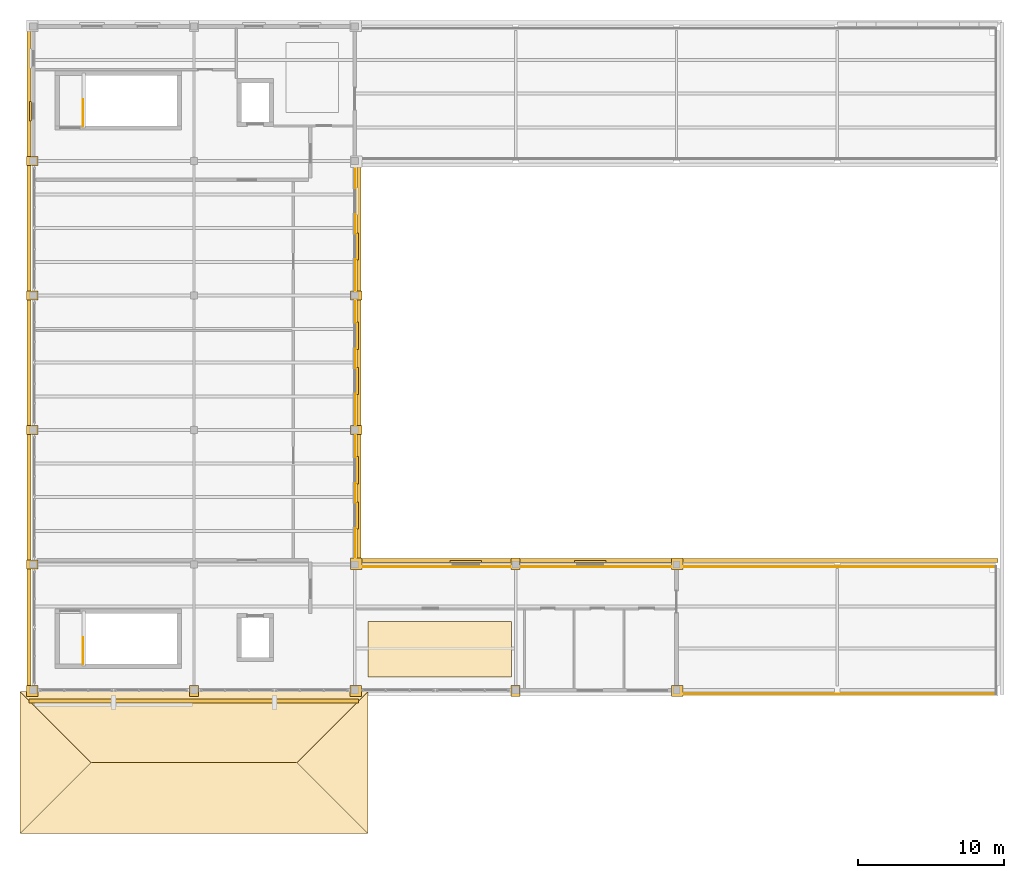
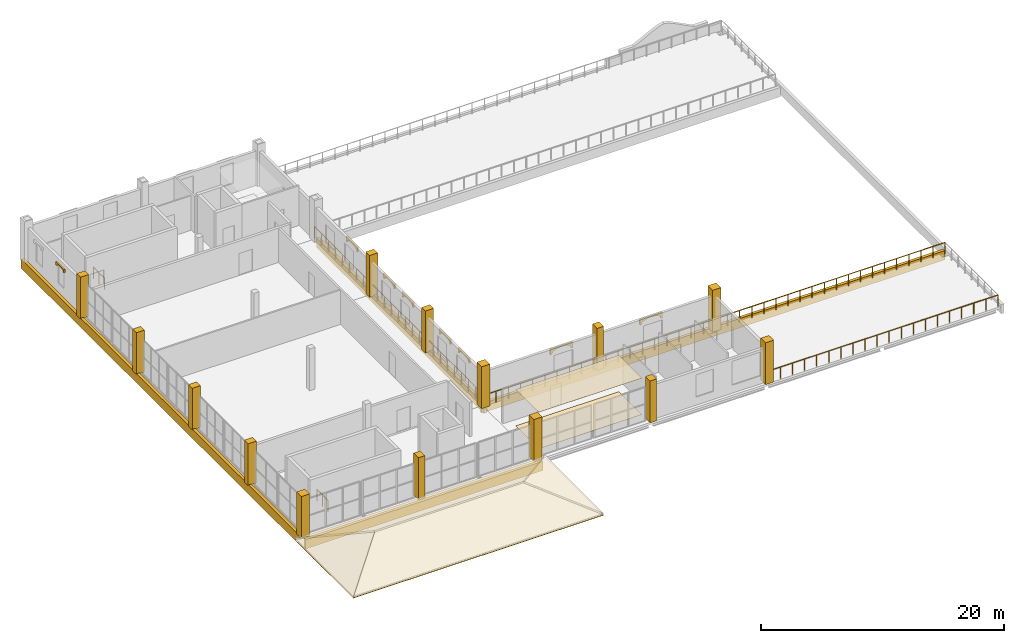
# One storey, part 25 of 26: 32 coverings, 6 railings.
"""IFC4 building model written with IfcOpenShell, lengths in metres."""

import ifcopenshell
import ifcopenshell.guid

model = None  # the IFC model being written
_history = None  # IfcOwnerHistory: only IFC2X3 demands one
_inside = {}  # id of a spatial element -> (the spatial element, [elements in it])
_under = {}  # id of a project, library or spatial element -> (it, [spatial elements below it])
_declared = {}  # id of a project -> (the project, [libraries it declares])
_typed = {}  # id of a type object -> (the type object, [elements of that type])
_made_of = {}  # id of a material, layer set ... -> (it, [elements and type objects made of it])


def new_model(schema):
    """Start an empty IFC model of exactly this schema.

    Asked for "IFC4X3", IfcOpenShell would pick the latest addendum, in which some entities
    have other attributes; the version numbers below select the first issue.
    IFC2X3 requires an IfcOwnerHistory on every rooted entity: one is made here for all.
    """
    global model, _history
    if schema == "IFC4X3":
        model = ifcopenshell.file(schema_version=(4, 3, 0, 0))
    else:
        model = ifcopenshell.file(schema=schema)
    _inside.clear()
    _under.clear()
    _declared.clear()
    _typed.clear()
    _made_of.clear()
    _history = None
    if model.schema == "IFC2X3":
        org = make("IfcOrganization", Name="unknown")
        user = make(
            "IfcPersonAndOrganization",
            ThePerson=make("IfcPerson", FamilyName="unknown"),
            TheOrganization=org,
        )
        app = make(
            "IfcApplication",
            ApplicationDeveloper=org,
            Version="unknown",
            ApplicationFullName="unknown",
            ApplicationIdentifier="unknown",
        )
        _history = make(
            "IfcOwnerHistory",
            OwningUser=user,
            OwningApplication=app,
            ChangeAction="ADDED",
            CreationDate=0,
        )
    return model


def make(cls, **values):
    """One entity of the class cls with the attributes given. An attribute that is None is left unset."""
    return model.create_entity(
        cls, **{name: value for name, value in values.items() if value is not None}
    )


def rooted(cls, **values):
    """An entity with a GlobalId (a new one), such as an element, a storey or a relation."""
    return make(cls, GlobalId=ifcopenshell.guid.new(), OwnerHistory=_history, **values)


def si_unit(unit_type, name, prefix=None):
    """IfcSIUnit, for example si_unit("LENGTHUNIT", "METRE", prefix="MILLI")."""
    return make("IfcSIUnit", UnitType=unit_type, Prefix=prefix, Name=name)


def assignment(units):
    """IfcUnitAssignment: the units of a project."""
    return None if units is None else make("IfcUnitAssignment", Units=units)


def point(xyz):
    """IfcCartesianPoint."""
    return None if xyz is None else make("IfcCartesianPoint", Coordinates=xyz)


def direction(xyz):
    """IfcDirection."""
    return None if xyz is None else make("IfcDirection", DirectionRatios=xyz)


def frame(location, z_axis=None, x_axis=None):
    """IfcAxis2Placement3D, a coordinate frame: its origin and axes. An axis left out is left unset."""
    return make(
        "IfcAxis2Placement3D",
        Location=point(location),
        Axis=direction(z_axis),
        RefDirection=direction(x_axis),
    )


def frame_2d(location, x_axis=None):
    """IfcAxis2Placement2D, a coordinate frame in the plane: its origin and x axis."""
    return make(
        "IfcAxis2Placement2D", Location=point(location), RefDirection=direction(x_axis)
    )


def origin():
    """The frame at (0, 0, 0) with its axes left unset."""
    return frame((0.0, 0.0, 0.0))


def origin_2d():
    """The frame at (0, 0) in the plane with its x axis left unset."""
    return frame_2d((0.0, 0.0))


def place(relative_to, where):
    """IfcLocalPlacement: puts the frame where relative to a parent placement (None: the world)."""
    return make(
        "IfcLocalPlacement", PlacementRelTo=relative_to, RelativePlacement=where
    )


def context(
    kind, dimensions, precision=None, world=None, true_north=None, identifier=None
):
    """IfcGeometricRepresentationContext, for example the 3D "Model" context."""
    return make(
        "IfcGeometricRepresentationContext",
        ContextIdentifier=identifier,
        ContextType=kind,
        CoordinateSpaceDimension=dimensions,
        Precision=precision,
        WorldCoordinateSystem=world,
        TrueNorth=true_north,
    )


def subcontext(parent, identifier, kind, view, scale=None):
    """IfcGeometricRepresentationSubContext, for example "Body" below "Model"."""
    return make(
        "IfcGeometricRepresentationSubContext",
        ContextIdentifier=identifier,
        ContextType=kind,
        ParentContext=parent,
        TargetScale=scale,
        TargetView=view,
    )


def project(units=None, contexts=None):
    """IfcProject with its units and contexts."""
    return rooted(
        "IfcProject",
        Name="project",
        RepresentationContexts=contexts,
        UnitsInContext=assignment(units),
    )


def spatial(cls, under=None, at=None, **own):
    """A site, building, storey or space (cls), placed at a placement, below another one or the project."""
    s = rooted(cls, ObjectPlacement=at, **own)
    if under is not None:
        _under.setdefault(under.id(), (under, []))[1].append(s)
    return s


def polyline(points):
    """IfcPolyline through the points."""
    return make("IfcPolyline", Points=[point(p) for p in points])


def profile(cls, at=None, kind="AREA", **sizes):
    """A parametric profile (cls). Its sizes go by their IFC names, for example OverallWidth=200.0."""
    return make(cls, ProfileType=kind, Position=at, **sizes)


def rectangle(**sizes):
    """IfcRectangleProfileDef."""
    return profile("IfcRectangleProfileDef", **sizes)


def circle(**sizes):
    """IfcCircleProfileDef."""
    return profile("IfcCircleProfileDef", **sizes)


def outline(outer, holes=None, kind="AREA"):
    """IfcArbitraryClosedProfileDef: a profile drawn as a closed curve; with holes, ...WithVoids."""
    if holes is None:
        return make("IfcArbitraryClosedProfileDef", ProfileType=kind, OuterCurve=outer)
    return make(
        "IfcArbitraryProfileDefWithVoids",
        ProfileType=kind,
        OuterCurve=outer,
        InnerCurves=holes,
    )


def extrude(swept, where, along, depth):
    """IfcExtrudedAreaSolid: the profile swept, set in the frame where, extruded along a direction by depth."""
    return make(
        "IfcExtrudedAreaSolid",
        SweptArea=swept,
        Position=where,
        ExtrudedDirection=direction(along),
        Depth=depth,
    )


def shape(context_of_items, identifier, shape_type, items):
    """IfcShapeRepresentation: the items that make up one representation, for example the "Body"."""
    return make(
        "IfcShapeRepresentation",
        ContextOfItems=context_of_items,
        RepresentationIdentifier=identifier,
        RepresentationType=shape_type,
        Items=items,
    )


def material(Name=None, Category=None):
    """IfcMaterial."""
    return make("IfcMaterial", Name=Name, Category=Category)


def layer(
    of_material, thickness, ventilated=None, Name=None, Category=None, Priority=None
):
    """IfcMaterialLayer: one layer of a wall or slab, of a material (None: an air gap)."""
    return make(
        "IfcMaterialLayer",
        Material=of_material,
        LayerThickness=thickness,
        IsVentilated=ventilated,
        Name=Name,
        Category=Category,
        Priority=Priority,
    )


def layer_set(layers, Name=None):
    """IfcMaterialLayerSet."""
    return make("IfcMaterialLayerSet", MaterialLayers=layers, LayerSetName=Name)


def made_of(thing, what):
    """Note that an element or type object is made of a material, layer set ...; save() writes the relation."""
    if what is not None:
        _made_of.setdefault(what.id(), (what, []))[1].append(thing)
    return thing


def type_object(cls, material=None, **own):
    """A type object (cls), such as IfcWallType, which elements share."""
    return made_of(rooted(cls, **own), material)


def element(
    cls,
    number,
    at=None,
    inside=None,
    cuts=None,
    type_object=None,
    material=None,
    context=None,
    identifier="Body",
    shape_type=None,
    held_by="IfcProductDefinitionShape",
    body=None,
    shapes=None,
    **own,
):
    """One element of the class cls, such as IfcWall. Its Tag is "e" and its number.

    at: its placement. inside: the storey or other place that contains it. cuts: it is an
    opening in that element (IfcRelVoidsElement). A single representation is given by context,
    identifier, shape_type and body (its items); several are given by shapes. held_by: the class
    of the entity that holds the representations. save() writes the other relations.
    """
    e = rooted(cls, Tag="e%d" % number, ObjectPlacement=at, **own)
    if body is not None:
        shapes = [shape(context, identifier, shape_type, body)]
    if shapes is not None:
        e.Representation = make(held_by, Representations=shapes)
    if inside is not None:
        _inside.setdefault(inside.id(), (inside, []))[1].append(e)
    if cuts is not None:
        rooted(
            "IfcRelVoidsElement", RelatingBuildingElement=cuts, RelatedOpeningElement=e
        )
    if type_object is not None:
        _typed.setdefault(type_object.id(), (type_object, []))[1].append(e)
    return made_of(e, material)


def aggregate(whole, parts):
    """IfcRelAggregates: a whole, such as a stair, and the parts it consists of."""
    return rooted("IfcRelAggregates", RelatingObject=whole, RelatedObjects=parts)


def save(model, path):
    """Write the relations noted so far, then the file.

    IfcRelAggregates (storeys below a building ...), IfcRelContainedInSpatialStructure (elements
    in a storey), IfcRelDefinesByType, IfcRelAssociatesMaterial and IfcRelDeclares: one each for
    every whole, place, type object, material and project.
    """
    for whole, parts in _under.values():
        aggregate(whole, parts)
    for where, things in _inside.values():
        rooted(
            "IfcRelContainedInSpatialStructure",
            RelatedElements=things,
            RelatingStructure=where,
        )
    for kind, things in _typed.values():
        rooted("IfcRelDefinesByType", RelatedObjects=things, RelatingType=kind)
    for what, things in _made_of.values():
        rooted("IfcRelAssociatesMaterial", RelatedObjects=things, RelatingMaterial=what)
    for by, libraries in _declared.values():
        rooted("IfcRelDeclares", RelatingContext=by, RelatedDefinitions=libraries)
    model.write(path)


model = new_model("IFC4")

# Units and contexts
model_context = context("Model", 3, precision=1e-05, world=origin(), true_north=direction((0.0, 1.0)))
body_context = subcontext(model_context, "Body", "Model", "MODEL_VIEW")
ifc_project = project(units=[si_unit("LENGTHUNIT", "METRE"), si_unit("AREAUNIT", "SQUARE_METRE"), si_unit("VOLUMEUNIT", "CUBIC_METRE"), si_unit("PLANEANGLEUNIT", "RADIAN"), si_unit("MASSUNIT", "GRAM", prefix="KILO")], contexts=[model_context])

# Site, building, storey
site_placement = place(None, origin())
site = spatial("IfcSite", under=ifc_project, at=site_placement, CompositionType="ELEMENT")
building_placement = place(site_placement, origin())
building = spatial("IfcBuilding", under=site, at=building_placement, Name="Caurita Quay Ferry Terminal", CompositionType="ELEMENT")
storey_placement = place(building_placement, frame((0.0, 0.0, 18.300048828125)))
storey = spatial("IfcBuildingStorey", under=building, at=storey_placement, Name="L04", CompositionType="ELEMENT", Elevation=18.300048828125)

# Coverings
ifc_material_1 = material(Name="Acoustic mineral fibre tile", Category="finish")
ifc_layer_1 = layer(ifc_material_1, 0.02001953125, Name="Acoustic mineral-fibre suspended ceiling 20 mm")
ifc_layer_set_1 = layer_set([ifc_layer_1], Name="Acoustic mineral fibre tile")
covering_type_1 = type_object("IfcCoveringType", Name="COV-CEIL-020", PredefinedType="CEILING", material=ifc_layer_set_1)
covering_1_placement = place(storey_placement, frame((0.0, 0.0, 3.66455078125)))
element("IfcCovering", 1, at=covering_1_placement, inside=storey, type_object=covering_type_1, Name="Maritime Incident Command Conference Room Acoustic Ceiling", PredefinedType="CEILING", context=body_context, shape_type="SweptSolid", body=[
    extrude(outline(polyline([(22.89990234375, 72.5), (32.699951171875, 72.5), (32.699951171875, 76.300048828125), (22.89990234375, 76.300048828125), (22.89990234375, 72.5)])), origin(), (0.0, 0.0, 1.0), 0.02001953125),
])
ifc_material_2 = material(Name="Coral stone ashlar cladding", Category="masonry")
ifc_layer_2 = layer(ifc_material_2, 0.239990234375, Name="Classical coral-stone entablature and cornice moulding 240 mm")
ifc_layer_set_2 = layer_set([ifc_layer_2], Name="Coral stone ashlar cladding")
covering_type_2 = type_object("IfcCoveringType", Name="COV-ENT-MLD", PredefinedType="MOLDING", material=ifc_layer_set_2)
covering_2_placement = place(storey_placement, frame((-0.280029296875, 117.280029296875, -0.85009765625), z_axis=(0.0, 0.0, 1.0), x_axis=(0.0, -1.0, 0.0)))
element("IfcCovering", 2, at=covering_2_placement, inside=storey, type_object=covering_type_2, Name="L04 Classical Entablature Cornice 009", PredefinedType="MOLDING", context=body_context, shape_type="SweptSolid", body=[
    extrude(rectangle(XDim=45.97998046875, YDim=0.280029296875, at=frame_2d((22.989990234375, 0.0))), origin(), (0.0, 0.0, 1.0), 0.929931640625),
])
covering_3_placement = place(storey_placement, frame((22.0, 80.47998046875, -0.85009765625), z_axis=(0.0, 0.0, 1.0), x_axis=(1.0, 0.0, 0.0)))
element("IfcCovering", 3, at=covering_3_placement, inside=storey, type_object=covering_type_2, Name="L04 Classical Entablature Cornice 031", PredefinedType="MOLDING", context=body_context, shape_type="SweptSolid", body=[
    extrude(rectangle(XDim=44.0, YDim=0.280029296875, at=frame_2d((22.0, 0.0))), origin(), (0.0, 0.0, 1.0), 0.929931640625),
])
covering_4_placement = place(storey_placement, frame((22.280029296875, 80.199951171875, -0.85009765625), z_axis=(0.0, 0.0, 1.0), x_axis=(0.0, 1.0, 0.0)))
element("IfcCovering", 4, at=covering_4_placement, inside=storey, type_object=covering_type_2, Name="L04 Classical Entablature Cornice 033", PredefinedType="MOLDING", context=body_context, shape_type="SweptSolid", body=[
    extrude(rectangle(XDim=27.60009765625, YDim=0.280029296875, at=frame_2d((13.800048828125, 0.0))), origin(), (0.0, 0.0, 1.0), 0.929931640625),
])
covering_5_placement = place(storey_placement, frame((22.25, 70.860107421875, -0.85009765625), z_axis=(0.0, 0.0, 1.0), x_axis=(-1.0, 0.0, 0.0)))
element("IfcCovering", 5, at=covering_5_placement, inside=storey, type_object=covering_type_2, Name="L04 Classical Entablature Cornice 048", PredefinedType="MOLDING", context=body_context, shape_type="SweptSolid", body=[
    extrude(rectangle(XDim=22.530029296875, YDim=0.280029296875, at=frame_2d((11.26513671875, 0.0))), origin(), (0.0, 0.0, 1.0), 0.91015625),
])
ifc_material_3 = material(Name="Polished marine terrazzo tile", Category="finish")
ifc_layer_3 = layer(ifc_material_3, 0.02490234375, Name="Polished marine terrazzo floor finish 25 mm")
ifc_layer_set_3 = layer_set([ifc_layer_3], Name="Polished marine terrazzo tile")
covering_type_3 = type_object("IfcCoveringType", Name="COV-FLR-025", PredefinedType="FLOORING", material=ifc_layer_set_3)
covering_6_placement = place(storey_placement, origin())
element("IfcCovering", 6, at=covering_6_placement, inside=storey, type_object=covering_type_3, Name="Maritime Incident Command Conference Room Terrazzo Flooring", PredefinedType="FLOORING", context=body_context, shape_type="SweptSolid", body=[
    extrude(outline(polyline([(22.89990234375, 72.5), (32.699951171875, 72.5), (32.699951171875, 76.300048828125), (22.89990234375, 76.300048828125), (22.89990234375, 72.5)])), origin(), (0.0, 0.0, 1.0), 0.02490234375),
])
ifc_material_4 = material(Name="Warm-white lime stucco masonry", Category="masonry")
ifc_layer_4 = layer(ifc_material_4, 0.179931640625, Name="Classical engaged lime-stucco facade pilaster cladding 180 mm")
ifc_layer_set_4 = layer_set([ifc_layer_4], Name="Warm-white lime stucco masonry")
covering_type_4 = type_object("IfcCoveringType", Name="COV-PIL-CLD", PredefinedType="CLADDING", material=ifc_layer_set_4)
covering_7_placement = place(storey_placement, frame((-0.050048828125, 71.550048828125, 0.0), z_axis=(0.0, 0.0, 1.0), x_axis=(1.0, 0.0, 0.0)))
element("IfcCovering", 7, at=covering_7_placement, inside=storey, type_object=covering_type_4, Name="L04 Classical Engaged Pilaster 0270", PredefinedType="CLADDING", context=body_context, shape_type="SweptSolid", body=[
    extrude(rectangle(XDim=0.780029296875, YDim=0.780029296875, at=origin_2d()), origin(), (0.0, 0.0, 1.0), 4.199951171875),
])
for number, where, z_axis, x_axis, name in (
    (8, (-0.050048828125, 80.199951171875, 0.0), (0.0, 0.0, 1.0), (1.0, 0.0, 0.0), "L04 Classical Engaged Pilaster 0275"),
    (9, (-0.050048828125, 89.39990234375, 0.0), (0.0, 0.0, 1.0), (1.0, 0.0, 0.0), "L04 Classical Engaged Pilaster 0280"),
    (10, (-0.050048828125, 98.60009765625, 0.0), (0.0, 0.0, 1.0), (1.0, 0.0, 0.0), "L04 Classical Engaged Pilaster 0285"),
    (11, (-0.050048828125, 107.800048828125, 0.0), (0.0, 0.0, 1.0), (1.0, 0.0, 0.0), "L04 Classical Engaged Pilaster 0290"),
):
    element("IfcCovering", number, at=place(storey_placement, frame(where, z_axis=z_axis, x_axis=x_axis)), inside=storey, type_object=covering_type_4, Name=name, PredefinedType="CLADDING", context=body_context, shape_type="SweptSolid", body=[
        extrude(rectangle(XDim=0.780029296875, YDim=0.6201171875, at=origin_2d()), origin(), (0.0, 0.0, 1.0), 4.199951171875),
    ])
covering_8_placement = place(storey_placement, frame((11.0, 71.550048828125, 0.0), z_axis=(0.0, 0.0, 1.0), x_axis=(1.0, 0.0, 0.0)))
element("IfcCovering", 12, at=covering_8_placement, inside=storey, type_object=covering_type_4, Name="L04 Classical Engaged Pilaster 0300", PredefinedType="CLADDING", context=body_context, shape_type="SweptSolid", body=[
    extrude(rectangle(XDim=0.6201171875, YDim=0.780029296875, at=origin_2d()), origin(), (0.0, 0.0, 1.0), 4.199951171875),
])
for number, where, z_axis, x_axis, name in (
    (13, (22.050048828125, 71.550048828125, 0.0), (0.0, 0.0, 1.0), (1.0, 0.0, 0.0), "L04 Classical Engaged Pilaster 0310"),
    (14, (22.10009765625, 80.25, 0.0), (0.0, 0.0, 1.0), (1.0, 0.0, 0.0), "L04 Classical Engaged Pilaster 0313"),
):
    element("IfcCovering", number, at=place(storey_placement, frame(where, z_axis=z_axis, x_axis=x_axis)), inside=storey, type_object=covering_type_4, Name=name, PredefinedType="CLADDING", context=body_context, shape_type="SweptSolid", body=[
        extrude(rectangle(XDim=0.780029296875, YDim=0.780029296875, at=origin_2d()), origin(), (0.0, 0.0, 1.0), 4.199951171875),
    ])
for number, where, z_axis, x_axis, name in (
    (15, (22.10009765625, 89.39990234375, 0.0), (0.0, 0.0, 1.0), (1.0, 0.0, 0.0), "L04 Classical Engaged Pilaster 0316"),
    (16, (22.10009765625, 98.60009765625, 0.0), (0.0, 0.0, 1.0), (1.0, 0.0, 0.0), "L04 Classical Engaged Pilaster 0319"),
):
    element("IfcCovering", number, at=place(storey_placement, frame(where, z_axis=z_axis, x_axis=x_axis)), inside=storey, type_object=covering_type_4, Name=name, PredefinedType="CLADDING", context=body_context, shape_type="SweptSolid", body=[
        extrude(rectangle(XDim=0.780029296875, YDim=0.6201171875, at=origin_2d()), origin(), (0.0, 0.0, 1.0), 4.199951171875),
    ])
for number, where, z_axis, x_axis, name in (
    (17, (33.0, 71.550048828125, 0.0), (0.0, 0.0, 1.0), (1.0, 0.0, 0.0), "L04 Classical Engaged Pilaster 0332"),
    (18, (33.0, 80.25, 0.0), (0.0, 0.0, 1.0), (1.0, 0.0, 0.0), "L04 Classical Engaged Pilaster 0335"),
):
    element("IfcCovering", number, at=place(storey_placement, frame(where, z_axis=z_axis, x_axis=x_axis)), inside=storey, type_object=covering_type_4, Name=name, PredefinedType="CLADDING", context=body_context, shape_type="SweptSolid", body=[
        extrude(rectangle(XDim=0.6201171875, YDim=0.780029296875, at=origin_2d()), origin(), (0.0, 0.0, 1.0), 4.199951171875),
    ])
for number, where, z_axis, x_axis, name in (
    (19, (44.050048828125, 71.550048828125, 0.0), (0.0, 0.0, 1.0), (1.0, 0.0, 0.0), "L04 Classical Engaged Pilaster 0346"),
    (20, (44.050048828125, 80.25, 0.0), (0.0, 0.0, 1.0), (1.0, 0.0, 0.0), "L04 Classical Engaged Pilaster 0349"),
):
    element("IfcCovering", number, at=place(storey_placement, frame(where, z_axis=z_axis, x_axis=x_axis)), inside=storey, type_object=covering_type_4, Name=name, PredefinedType="CLADDING", context=body_context, shape_type="SweptSolid", body=[
        extrude(rectangle(XDim=0.780029296875, YDim=0.780029296875, at=origin_2d()), origin(), (0.0, 0.0, 1.0), 4.199951171875),
    ])
ifc_material_5 = material(Name="Terracotta clay barrel tile", Category="masonry")
ifc_layer_5 = layer(ifc_material_5, 0.06494140625, Name="Terracotta clay barrel-tile roofing course")
ifc_layer_set_5 = layer_set([ifc_layer_5], Name="Terracotta clay barrel tile")
covering_type_5 = type_object("IfcCoveringType", Name="COV-TEJA-ROOF", PredefinedType="ROOFING", material=ifc_layer_set_5)
covering_9_placement = place(storey_placement, frame((-0.89990234375, 61.800048828125, -0.14013671875), z_axis=(0.0, -0.377970373651, 0.925817690824), x_axis=(1.0, 0.0, 0.0)))
element("IfcCovering", 21, at=covering_9_placement, inside=storey, type_object=covering_type_5, Name="Terracotta Roof Timber Decking V1-BLV-S", PredefinedType="ROOFING", context=body_context, shape_type="SweptSolid", body=[
    extrude(outline(polyline([(0.0, 0.0), (23.7998046875, 0.0), (18.949951171875, 5.238454140264247), (4.849853515625, 5.238454140264247), (0.0, 0.0)])), origin(), (0.0, 0.0, -1.0), 0.054931640625),
])
covering_10_placement = place(storey_placement, frame((22.89990234375, 71.5, -0.14013671875), z_axis=(0.0, 0.377954065566, 0.925824348525), x_axis=(-1.0, 0.0, 0.0)))
element("IfcCovering", 22, at=covering_10_placement, inside=storey, type_object=covering_type_5, Name="Terracotta Roof Timber Decking V1-BLV-N", PredefinedType="ROOFING", context=body_context, shape_type="SweptSolid", body=[
    extrude(outline(polyline([(0.0, 0.0), (23.7998046875, 0.0), (18.949951171875, 5.238680170786647), (4.849853515625, 5.238680170786647), (0.0, 0.0)])), origin(), (0.0, 0.0, -1.0), 0.054931640625),
])
covering_11_placement = place(storey_placement, frame((-0.89990234375, 71.5, -0.14013671875), z_axis=(-0.377970373651, 0.0, 0.925817690824), x_axis=(0.0, -1.0, 0.0)))
element("IfcCovering", 23, at=covering_11_placement, inside=storey, type_object=covering_type_5, Name="Terracotta Roof Timber Decking V1-BLV-W", PredefinedType="ROOFING", context=body_context, shape_type="SweptSolid", body=[
    extrude(outline(polyline([(0.0, 0.0), (9.699951171875, 0.0), (4.85009765625, 5.238454140264249), (0.0, 0.0)])), origin(), (0.0, 0.0, -1.0), 0.054931640625),
])
covering_12_placement = place(storey_placement, frame((22.89990234375, 61.800048828125, -0.14013671875), z_axis=(0.377970373651, 0.0, 0.925817690824), x_axis=(0.0, 1.0, 0.0)))
element("IfcCovering", 24, at=covering_12_placement, inside=storey, type_object=covering_type_5, Name="Terracotta Roof Timber Decking V1-BLV-E", PredefinedType="ROOFING", context=body_context, shape_type="SweptSolid", body=[
    extrude(outline(polyline([(0.0, 0.0), (9.699951171875, 0.0), (4.849853515625, 5.238454140264249), (0.0, 0.0)])), origin(), (0.0, 0.0, -1.0), 0.054931640625),
])
ifc_layer_6 = layer(ifc_material_2, 0.139892578125, Name="Spanish Colonial semicircular arched window surround 140 mm")
ifc_layer_set_6 = layer_set([ifc_layer_6], Name="Coral stone ashlar cladding")
covering_type_6 = type_object("IfcCoveringType", Name="COV-WHD-MLD", PredefinedType="MOLDING", material=ifc_layer_set_6)
covering_13_placement = place(storey_placement, frame((-0.18994140625, 111.8798828125, 2.72998046875), z_axis=(0.0, 0.0, 1.0), x_axis=(0.0, -1.0, 0.0)))
element("IfcCovering", 25, at=covering_13_placement, inside=storey, type_object=covering_type_6, Name="L04 Arched Window Surround 055", PredefinedType="MOLDING", context=body_context, shape_type="SweptSolid", body=[
    extrude(outline(polyline([(0.0, 0.0), (0.159912109375, 0.0), (0.159912109375, 0.0400390625), (0.185546875, 0.101806640625), (0.25927734375, 0.157470703125), (0.374267578125, 0.201904296875), (0.519287109375, 0.230224609375), (0.679931640625, 0.239990234375), (0.840576171875, 0.230224609375), (0.985595703125, 0.201904296875), (1.1005859375, 0.157470703125), (1.17431640625, 0.101806640625), (1.199951171875, 0.0400390625), (1.199951171875, 0.0), (1.35986328125, 0.0), (1.35986328125, 0.320068359375), (0.0, 0.320068359375), (0.0, 0.0)])), frame((0.0, 0.06982421875, 0.0), z_axis=(0.0, -1.0, 0.0), x_axis=(1.0, 0.0, 0.0)), (0.0, 0.0, 1.0), 0.139892578125),
])
for number, where, z_axis, x_axis, name in (
    (26, (39.179931640625, 80.389892578125, 2.72998046875), (0.0, 0.0, 1.0), (-1.0, 0.0, 0.0), "L04 Arched Window Surround 097"),
    (27, (30.679931640625, 80.389892578125, 2.72998046875), (0.0, 0.0, 1.0), (-1.0, 0.0, 0.0), "L04 Arched Window Surround 098"),
):
    element("IfcCovering", number, at=place(storey_placement, frame(where, z_axis=z_axis, x_axis=x_axis)), inside=storey, type_object=covering_type_6, Name=name, PredefinedType="MOLDING", context=body_context, shape_type="SweptSolid", body=[
        extrude(outline(polyline([(0.0, 0.0), (0.159912109375, 0.0), (0.159912109375, 0.0400390625), (0.205078125, 0.1728515625), (0.335693359375, 0.292724609375), (0.539306640625, 0.387939453125), (0.795654296875, 0.448974609375), (1.080078125, 0.469970703125), (1.3642578125, 0.448974609375), (1.62060546875, 0.387939453125), (1.82421875, 0.292724609375), (1.954833984375, 0.1728515625), (2.0, 0.0400390625), (2.0, 0.0), (2.159912109375, 0.0), (2.159912109375, 0.550048828125), (0.0, 0.550048828125), (0.0, 0.0)])), frame((0.0, 0.06982421875, 0.0), z_axis=(0.0, -1.0, 0.0), x_axis=(1.0, 0.0, 0.0)), (0.0, 0.0, 1.0), 0.139892578125),
    ])
covering_14_placement = place(storey_placement, frame((22.18994140625, 82.6201171875, 2.72998046875), z_axis=(0.0, 0.0, 1.0), x_axis=(0.0, 1.0, 0.0)))
element("IfcCovering", 28, at=covering_14_placement, inside=storey, type_object=covering_type_6, Name="L04 Arched Window Surround 099", PredefinedType="MOLDING", context=body_context, shape_type="SweptSolid", body=[
    extrude(outline(polyline([(0.0, 0.0), (0.159912109375, 0.0), (0.159912109375, 0.0400390625), (0.19775390625, 0.1513671875), (0.30712890625, 0.251708984375), (0.477294921875, 0.331298828125), (0.69189453125, 0.38232421875), (0.929931640625, 0.39990234375), (1.16796875, 0.38232421875), (1.382568359375, 0.331298828125), (1.552734375, 0.251708984375), (1.662109375, 0.1513671875), (1.699951171875, 0.0400390625), (1.699951171875, 0.0), (1.85986328125, 0.0), (1.85986328125, 0.47998046875), (0.0, 0.47998046875), (0.0, 0.0)])), frame((0.0, 0.06982421875, 0.0), z_axis=(0.0, -1.0, 0.0), x_axis=(1.0, 0.0, 0.0)), (0.0, 0.0, 1.0), 0.139892578125),
])
covering_15_placement = place(storey_placement, frame((22.18994140625, 85.719970703125, 2.72998046875), z_axis=(0.0, 0.0, 1.0), x_axis=(0.0, 1.0, 0.0)))
element("IfcCovering", 29, at=covering_15_placement, inside=storey, type_object=covering_type_6, Name="L04 Arched Window Surround 100", PredefinedType="MOLDING", context=body_context, shape_type="SweptSolid", body=[
    extrude(outline(polyline([(0.0, 0.0), (0.159912109375, 0.0), (0.159912109375, 0.0400390625), (0.19775390625, 0.1513671875), (0.30712890625, 0.251708984375), (0.4775390625, 0.331298828125), (0.692138671875, 0.38232421875), (0.929931640625, 0.39990234375), (1.16796875, 0.38232421875), (1.382568359375, 0.331298828125), (1.552978515625, 0.251708984375), (1.662353515625, 0.1513671875), (1.7001953125, 0.0400390625), (1.7001953125, 0.0), (1.860107421875, 0.0), (1.860107421875, 0.47998046875), (0.0, 0.47998046875), (0.0, 0.0)])), frame((0.0, 0.06982421875, 0.0), z_axis=(0.0, -1.0, 0.0), x_axis=(1.0, 0.0, 0.0)), (0.0, 0.0, 1.0), 0.139892578125),
])
covering_16_placement = place(storey_placement, frame((22.18994140625, 91.820068359375, 2.72998046875), z_axis=(0.0, 0.0, 1.0), x_axis=(0.0, 1.0, 0.0)))
element("IfcCovering", 30, at=covering_16_placement, inside=storey, type_object=covering_type_6, Name="L04 Arched Window Surround 101", PredefinedType="MOLDING", context=body_context, shape_type="SweptSolid", body=[
    extrude(outline(polyline([(0.0, 0.0), (0.159912109375, 0.0), (0.159912109375, 0.0400390625), (0.19775390625, 0.1513671875), (0.30712890625, 0.251708984375), (0.477294921875, 0.331298828125), (0.69189453125, 0.38232421875), (0.929931640625, 0.39990234375), (1.16796875, 0.38232421875), (1.382568359375, 0.331298828125), (1.552734375, 0.251708984375), (1.662109375, 0.1513671875), (1.699951171875, 0.0400390625), (1.699951171875, 0.0), (1.85986328125, 0.0), (1.85986328125, 0.47998046875), (0.0, 0.47998046875), (0.0, 0.0)])), frame((0.0, 0.06982421875, 0.0), z_axis=(0.0, -1.0, 0.0), x_axis=(1.0, 0.0, 0.0)), (0.0, 0.0, 1.0), 0.139892578125),
])
covering_17_placement = place(storey_placement, frame((22.18994140625, 94.919921875, 2.72998046875), z_axis=(0.0, 0.0, 1.0), x_axis=(0.0, 1.0, 0.0)))
element("IfcCovering", 31, at=covering_17_placement, inside=storey, type_object=covering_type_6, Name="L04 Arched Window Surround 102", PredefinedType="MOLDING", context=body_context, shape_type="SweptSolid", body=[
    extrude(outline(polyline([(0.0, 0.0), (0.159912109375, 0.0), (0.159912109375, 0.0400390625), (0.19775390625, 0.1513671875), (0.30712890625, 0.251708984375), (0.4775390625, 0.331298828125), (0.692138671875, 0.38232421875), (0.929931640625, 0.39990234375), (1.16796875, 0.38232421875), (1.382568359375, 0.331298828125), (1.552978515625, 0.251708984375), (1.662353515625, 0.1513671875), (1.7001953125, 0.0400390625), (1.7001953125, 0.0), (1.860107421875, 0.0), (1.860107421875, 0.47998046875), (0.0, 0.47998046875), (0.0, 0.0)])), frame((0.0, 0.06982421875, 0.0), z_axis=(0.0, -1.0, 0.0), x_axis=(1.0, 0.0, 0.0)), (0.0, 0.0, 1.0), 0.139892578125),
])
covering_18_placement = place(storey_placement, frame((22.18994140625, 101.02001953125, 2.72998046875), z_axis=(0.0, 0.0, 1.0), x_axis=(0.0, 1.0, 0.0)))
element("IfcCovering", 32, at=covering_18_placement, inside=storey, type_object=covering_type_6, Name="L04 Arched Window Surround 103", PredefinedType="MOLDING", context=body_context, shape_type="SweptSolid", body=[
    extrude(outline(polyline([(0.0, 0.0), (0.159912109375, 0.0), (0.159912109375, 0.0400390625), (0.19775390625, 0.1513671875), (0.30712890625, 0.251708984375), (0.477294921875, 0.331298828125), (0.69189453125, 0.38232421875), (0.929931640625, 0.39990234375), (1.16796875, 0.38232421875), (1.382568359375, 0.331298828125), (1.552734375, 0.251708984375), (1.662109375, 0.1513671875), (1.699951171875, 0.0400390625), (1.699951171875, 0.0), (1.85986328125, 0.0), (1.85986328125, 0.47998046875), (0.0, 0.47998046875), (0.0, 0.0)])), frame((0.0, 0.06982421875, 0.0), z_axis=(0.0, -1.0, 0.0), x_axis=(1.0, 0.0, 0.0)), (0.0, 0.0, 1.0), 0.139892578125),
])

# Railings
ifc_material_6 = material(Name="Bronze architectural metalwork", Category="metal")
railing_type = type_object("IfcRailingType", Name="RL-REJA-115", PredefinedType="BALUSTRADE", material=ifc_material_6)
railing_1_placement = place(storey_placement, frame((44.050048828125, 71.35009765625, 0.0)))
element("IfcRailing", 33, at=railing_1_placement, inside=storey, type_object=railing_type, Name="L04 South Watch Terrace Balustrade (072)", PredefinedType="BALUSTRADE", context=body_context, shape_type="SweptSolid", body=[
    extrude(circle(Radius=0.02392578125, at=origin_2d()), frame((0.0, 0.0, 1.1259765625), z_axis=(1.0, 0.0, 0.0), x_axis=(0.0, 1.0, 0.0)), (0.0, 0.0, 1.0), 21.800048828125),
    extrude(circle(Radius=0.02099609375, at=origin_2d()), origin(), (0.0, 0.0, 1.0), 1.101806640625),
    extrude(circle(Radius=0.02099609375, at=origin_2d()), frame((1.1474609375, 0.0, 0.0)), (0.0, 0.0, 1.0), 1.101806640625),
    extrude(circle(Radius=0.02099609375, at=origin_2d()), frame((2.294677734375, 0.0, 0.0)), (0.0, 0.0, 1.0), 1.101806640625),
    extrude(circle(Radius=0.02099609375, at=origin_2d()), frame((3.442138671875, 0.0, 0.0)), (0.0, 0.0, 1.0), 1.101806640625),
    extrude(circle(Radius=0.02099609375, at=origin_2d()), frame((4.589599609375, 0.0, 0.0)), (0.0, 0.0, 1.0), 1.101806640625),
    extrude(circle(Radius=0.02099609375, at=origin_2d()), frame((5.73681640625, 0.0, 0.0)), (0.0, 0.0, 1.0), 1.101806640625),
    extrude(circle(Radius=0.02099609375, at=origin_2d()), frame((6.88427734375, 0.0, 0.0)), (0.0, 0.0, 1.0), 1.101806640625),
    extrude(circle(Radius=0.02099609375, at=origin_2d()), frame((8.031494140625, 0.0, 0.0)), (0.0, 0.0, 1.0), 1.101806640625),
    extrude(circle(Radius=0.02099609375, at=origin_2d()), frame((9.178955078125, 0.0, 0.0)), (0.0, 0.0, 1.0), 1.101806640625),
    extrude(circle(Radius=0.02099609375, at=origin_2d()), frame((10.326416015625, 0.0, 0.0)), (0.0, 0.0, 1.0), 1.101806640625),
    extrude(circle(Radius=0.02099609375, at=origin_2d()), frame((11.4736328125, 0.0, 0.0)), (0.0, 0.0, 1.0), 1.101806640625),
    extrude(circle(Radius=0.02099609375, at=origin_2d()), frame((12.62109375, 0.0, 0.0)), (0.0, 0.0, 1.0), 1.101806640625),
    extrude(circle(Radius=0.02099609375, at=origin_2d()), frame((13.7685546875, 0.0, 0.0)), (0.0, 0.0, 1.0), 1.101806640625),
    extrude(circle(Radius=0.02099609375, at=origin_2d()), frame((14.915771484375, 0.0, 0.0)), (0.0, 0.0, 1.0), 1.101806640625),
    extrude(circle(Radius=0.02099609375, at=origin_2d()), frame((16.063232421875, 0.0, 0.0)), (0.0, 0.0, 1.0), 1.101806640625),
    extrude(circle(Radius=0.02099609375, at=origin_2d()), frame((17.21044921875, 0.0, 0.0)), (0.0, 0.0, 1.0), 1.101806640625),
    extrude(circle(Radius=0.02099609375, at=origin_2d()), frame((18.35791015625, 0.0, 0.0)), (0.0, 0.0, 1.0), 1.101806640625),
    extrude(circle(Radius=0.02099609375, at=origin_2d()), frame((19.50537109375, 0.0, 0.0)), (0.0, 0.0, 1.0), 1.101806640625),
    extrude(circle(Radius=0.02099609375, at=origin_2d()), frame((20.652587890625, 0.0, 0.0)), (0.0, 0.0, 1.0), 1.101806640625),
    extrude(circle(Radius=0.02099609375, at=origin_2d()), frame((21.800048828125, 0.0, 0.0)), (0.0, 0.0, 1.0), 1.101806640625),
])
railing_2_placement = place(storey_placement, frame((65.85009765625, 80.050048828125, 0.0)))
element("IfcRailing", 34, at=railing_2_placement, inside=storey, type_object=railing_type, Name="L04 South Watch Terrace Balustrade (074)", PredefinedType="BALUSTRADE", context=body_context, shape_type="SweptSolid", body=[
    extrude(circle(Radius=0.02392578125, at=origin_2d()), frame((0.0, 0.0, 1.1259765625), z_axis=(-1.0, 0.0, 0.0), x_axis=(0.0, -1.0, 0.0)), (0.0, 0.0, 1.0), 21.800048828125),
    extrude(circle(Radius=0.02099609375, at=origin_2d()), origin(), (0.0, 0.0, 1.0), 1.101806640625),
    extrude(circle(Radius=0.02099609375, at=origin_2d()), frame((-1.1474609375, 0.0, 0.0)), (0.0, 0.0, 1.0), 1.101806640625),
    extrude(circle(Radius=0.02099609375, at=origin_2d()), frame((-2.294677734375, 0.0, 0.0)), (0.0, 0.0, 1.0), 1.101806640625),
    extrude(circle(Radius=0.02099609375, at=origin_2d()), frame((-3.442138671875, 0.0, 0.0)), (0.0, 0.0, 1.0), 1.101806640625),
    extrude(circle(Radius=0.02099609375, at=origin_2d()), frame((-4.589599609375, 0.0, 0.0)), (0.0, 0.0, 1.0), 1.101806640625),
    extrude(circle(Radius=0.02099609375, at=origin_2d()), frame((-5.73681640625, 0.0, 0.0)), (0.0, 0.0, 1.0), 1.101806640625),
    extrude(circle(Radius=0.02099609375, at=origin_2d()), frame((-6.88427734375, 0.0, 0.0)), (0.0, 0.0, 1.0), 1.101806640625),
    extrude(circle(Radius=0.02099609375, at=origin_2d()), frame((-8.031494140625, 0.0, 0.0)), (0.0, 0.0, 1.0), 1.101806640625),
    extrude(circle(Radius=0.02099609375, at=origin_2d()), frame((-9.178955078125, 0.0, 0.0)), (0.0, 0.0, 1.0), 1.101806640625),
    extrude(circle(Radius=0.02099609375, at=origin_2d()), frame((-10.326416015625, 0.0, 0.0)), (0.0, 0.0, 1.0), 1.101806640625),
    extrude(circle(Radius=0.02099609375, at=origin_2d()), frame((-11.4736328125, 0.0, 0.0)), (0.0, 0.0, 1.0), 1.101806640625),
    extrude(circle(Radius=0.02099609375, at=origin_2d()), frame((-12.62109375, 0.0, 0.0)), (0.0, 0.0, 1.0), 1.101806640625),
    extrude(circle(Radius=0.02099609375, at=origin_2d()), frame((-13.7685546875, 0.0, 0.0)), (0.0, 0.0, 1.0), 1.101806640625),
    extrude(circle(Radius=0.02099609375, at=origin_2d()), frame((-14.915771484375, 0.0, 0.0)), (0.0, 0.0, 1.0), 1.101806640625),
    extrude(circle(Radius=0.02099609375, at=origin_2d()), frame((-16.063232421875, 0.0, 0.0)), (0.0, 0.0, 1.0), 1.101806640625),
    extrude(circle(Radius=0.02099609375, at=origin_2d()), frame((-17.21044921875, 0.0, 0.0)), (0.0, 0.0, 1.0), 1.101806640625),
    extrude(circle(Radius=0.02099609375, at=origin_2d()), frame((-18.35791015625, 0.0, 0.0)), (0.0, 0.0, 1.0), 1.101806640625),
    extrude(circle(Radius=0.02099609375, at=origin_2d()), frame((-19.50537109375, 0.0, 0.0)), (0.0, 0.0, 1.0), 1.101806640625),
    extrude(circle(Radius=0.02099609375, at=origin_2d()), frame((-20.652587890625, 0.0, 0.0)), (0.0, 0.0, 1.0), 1.101806640625),
    extrude(circle(Radius=0.02099609375, at=origin_2d()), frame((-21.800048828125, 0.0, 0.0)), (0.0, 0.0, 1.0), 1.101806640625),
])
railing_3_placement = place(storey_placement, frame((22.050048828125, 80.25, 0.0)))
element("IfcRailing", 35, at=railing_3_placement, inside=storey, type_object=railing_type, Name="L04 Courtyard West Edge Guard (094)", PredefinedType="BALUSTRADE", context=body_context, shape_type="SweptSolid", body=[
    extrude(circle(Radius=0.02392578125, at=origin_2d()), frame((0.0, 0.0, 1.1259765625), z_axis=(0.0, 1.0, 0.0), x_axis=(-1.0, 0.0, 0.0)), (0.0, 0.0, 1.0), 27.699951171875),
    extrude(circle(Radius=0.02099609375, at=origin_2d()), origin(), (0.0, 0.0, 1.0), 1.101806640625),
    extrude(circle(Radius=0.02099609375, at=origin_2d()), frame((0.0, 1.154052734375, 0.0)), (0.0, 0.0, 1.0), 1.101806640625),
    extrude(circle(Radius=0.02099609375, at=origin_2d()), frame((0.0, 2.308349609375, 0.0)), (0.0, 0.0, 1.0), 1.101806640625),
    extrude(circle(Radius=0.02099609375, at=origin_2d()), frame((0.0, 3.46240234375, 0.0)), (0.0, 0.0, 1.0), 1.101806640625),
    extrude(circle(Radius=0.02099609375, at=origin_2d()), frame((0.0, 4.61669921875, 0.0)), (0.0, 0.0, 1.0), 1.101806640625),
    extrude(circle(Radius=0.02099609375, at=origin_2d()), frame((0.0, 5.770751953125, 0.0)), (0.0, 0.0, 1.0), 1.101806640625),
    extrude(circle(Radius=0.02099609375, at=origin_2d()), frame((0.0, 6.925048828125, 0.0)), (0.0, 0.0, 1.0), 1.101806640625),
    extrude(circle(Radius=0.02099609375, at=origin_2d()), frame((0.0, 8.0791015625, 0.0)), (0.0, 0.0, 1.0), 1.101806640625),
    extrude(circle(Radius=0.02099609375, at=origin_2d()), frame((0.0, 9.2333984375, 0.0)), (0.0, 0.0, 1.0), 1.101806640625),
    extrude(circle(Radius=0.02099609375, at=origin_2d()), frame((0.0, 10.387451171875, 0.0)), (0.0, 0.0, 1.0), 1.101806640625),
    extrude(circle(Radius=0.02099609375, at=origin_2d()), frame((0.0, 11.541748046875, 0.0)), (0.0, 0.0, 1.0), 1.101806640625),
    extrude(circle(Radius=0.02099609375, at=origin_2d()), frame((0.0, 12.69580078125, 0.0)), (0.0, 0.0, 1.0), 1.101806640625),
    extrude(circle(Radius=0.02099609375, at=origin_2d()), frame((0.0, 13.85009765625, 0.0)), (0.0, 0.0, 1.0), 1.101806640625),
    extrude(circle(Radius=0.02099609375, at=origin_2d()), frame((0.0, 15.004150390625, 0.0)), (0.0, 0.0, 1.0), 1.101806640625),
    extrude(circle(Radius=0.02099609375, at=origin_2d()), frame((0.0, 16.158203125, 0.0)), (0.0, 0.0, 1.0), 1.101806640625),
    extrude(circle(Radius=0.02099609375, at=origin_2d()), frame((0.0, 17.3125, 0.0)), (0.0, 0.0, 1.0), 1.101806640625),
    extrude(circle(Radius=0.02099609375, at=origin_2d()), frame((0.0, 18.466552734375, 0.0)), (0.0, 0.0, 1.0), 1.101806640625),
    extrude(circle(Radius=0.02099609375, at=origin_2d()), frame((0.0, 19.620849609375, 0.0)), (0.0, 0.0, 1.0), 1.101806640625),
    extrude(circle(Radius=0.02099609375, at=origin_2d()), frame((0.0, 20.77490234375, 0.0)), (0.0, 0.0, 1.0), 1.101806640625),
    extrude(circle(Radius=0.02099609375, at=origin_2d()), frame((0.0, 21.92919921875, 0.0)), (0.0, 0.0, 1.0), 1.101806640625),
    extrude(circle(Radius=0.02099609375, at=origin_2d()), frame((0.0, 23.083251953125, 0.0)), (0.0, 0.0, 1.0), 1.101806640625),
    extrude(circle(Radius=0.02099609375, at=origin_2d()), frame((0.0, 24.237548828125, 0.0)), (0.0, 0.0, 1.0), 1.101806640625),
    extrude(circle(Radius=0.02099609375, at=origin_2d()), frame((0.0, 25.3916015625, 0.0)), (0.0, 0.0, 1.0), 1.101806640625),
    extrude(circle(Radius=0.02099609375, at=origin_2d()), frame((0.0, 26.5458984375, 0.0)), (0.0, 0.0, 1.0), 1.101806640625),
    extrude(circle(Radius=0.02099609375, at=origin_2d()), frame((0.0, 27.699951171875, 0.0)), (0.0, 0.0, 1.0), 1.101806640625),
])
railing_4_placement = place(storey_placement, frame((44.050048828125, 80.050048828125, 0.0)))
element("IfcRailing", 36, at=railing_4_placement, inside=storey, type_object=railing_type, Name="L04 Courtyard South Edge Guard (095)", PredefinedType="BALUSTRADE", context=body_context, shape_type="SweptSolid", body=[
    extrude(circle(Radius=0.02392578125, at=origin_2d()), frame((0.0, 0.0, 1.1259765625), z_axis=(-1.0, 0.0, 0.0), x_axis=(0.0, -1.0, 0.0)), (0.0, 0.0, 1.0), 22.0),
    extrude(circle(Radius=0.02099609375, at=origin_2d()), origin(), (0.0, 0.0, 1.0), 1.101806640625),
    extrude(circle(Radius=0.02099609375, at=origin_2d()), frame((-1.157958984375, 0.0, 0.0)), (0.0, 0.0, 1.0), 1.101806640625),
    extrude(circle(Radius=0.02099609375, at=origin_2d()), frame((-2.315673828125, 0.0, 0.0)), (0.0, 0.0, 1.0), 1.101806640625),
    extrude(circle(Radius=0.02099609375, at=origin_2d()), frame((-3.4736328125, 0.0, 0.0)), (0.0, 0.0, 1.0), 1.101806640625),
    extrude(circle(Radius=0.02099609375, at=origin_2d()), frame((-4.631591796875, 0.0, 0.0)), (0.0, 0.0, 1.0), 1.101806640625),
    extrude(circle(Radius=0.02099609375, at=origin_2d()), frame((-5.78955078125, 0.0, 0.0)), (0.0, 0.0, 1.0), 1.101806640625),
    extrude(circle(Radius=0.02099609375, at=origin_2d()), frame((-6.947265625, 0.0, 0.0)), (0.0, 0.0, 1.0), 1.101806640625),
    extrude(circle(Radius=0.02099609375, at=origin_2d()), frame((-8.105224609375, 0.0, 0.0)), (0.0, 0.0, 1.0), 1.101806640625),
    extrude(circle(Radius=0.02099609375, at=origin_2d()), frame((-9.26318359375, 0.0, 0.0)), (0.0, 0.0, 1.0), 1.101806640625),
    extrude(circle(Radius=0.02099609375, at=origin_2d()), frame((-10.421142578125, 0.0, 0.0)), (0.0, 0.0, 1.0), 1.101806640625),
    extrude(circle(Radius=0.02099609375, at=origin_2d()), frame((-11.578857421875, 0.0, 0.0)), (0.0, 0.0, 1.0), 1.101806640625),
    extrude(circle(Radius=0.02099609375, at=origin_2d()), frame((-12.73681640625, 0.0, 0.0)), (0.0, 0.0, 1.0), 1.101806640625),
    extrude(circle(Radius=0.02099609375, at=origin_2d()), frame((-13.894775390625, 0.0, 0.0)), (0.0, 0.0, 1.0), 1.101806640625),
    extrude(circle(Radius=0.02099609375, at=origin_2d()), frame((-15.052734375, 0.0, 0.0)), (0.0, 0.0, 1.0), 1.101806640625),
    extrude(circle(Radius=0.02099609375, at=origin_2d()), frame((-16.21044921875, 0.0, 0.0)), (0.0, 0.0, 1.0), 1.101806640625),
    extrude(circle(Radius=0.02099609375, at=origin_2d()), frame((-17.368408203125, 0.0, 0.0)), (0.0, 0.0, 1.0), 1.101806640625),
    extrude(circle(Radius=0.02099609375, at=origin_2d()), frame((-18.5263671875, 0.0, 0.0)), (0.0, 0.0, 1.0), 1.101806640625),
    extrude(circle(Radius=0.02099609375, at=origin_2d()), frame((-19.684326171875, 0.0, 0.0)), (0.0, 0.0, 1.0), 1.101806640625),
    extrude(circle(Radius=0.02099609375, at=origin_2d()), frame((-20.842041015625, 0.0, 0.0)), (0.0, 0.0, 1.0), 1.101806640625),
    extrude(circle(Radius=0.02099609375, at=origin_2d()), frame((-22.0, 0.0, 0.0)), (0.0, 0.0, 1.0), 1.101806640625),
])
for number, where, name in (
    (37, (3.39990234375, 110.199951171875, 0.0), "L04 ST-01 top well guard 1"),
    (38, (3.39990234375, 73.39990234375, 0.0), "L04 ST-02 top well guard 1"),
):
    element("IfcRailing", number, at=place(storey_placement, frame(where)), inside=storey, type_object=railing_type, Name=name, PredefinedType="BALUSTRADE", context=body_context, shape_type="SweptSolid", body=[
        extrude(circle(Radius=0.02392578125, at=origin_2d()), frame((0.0, 0.0, 1.1259765625), z_axis=(0.0, 1.0, 0.0), x_axis=(-1.0, 0.0, 0.0)), (0.0, 0.0, 1.0), 1.81005859375),
        extrude(circle(Radius=0.02099609375, at=origin_2d()), origin(), (0.0, 0.0, 1.0), 1.101806640625),
        extrude(circle(Radius=0.02099609375, at=origin_2d()), frame((0.0, 0.905029296875, 0.0)), (0.0, 0.0, 1.0), 1.101806640625),
        extrude(circle(Radius=0.02099609375, at=origin_2d()), frame((0.0, 1.81005859375, 0.0)), (0.0, 0.0, 1.0), 1.101806640625),
    ])

save(model, "model.ifc")
